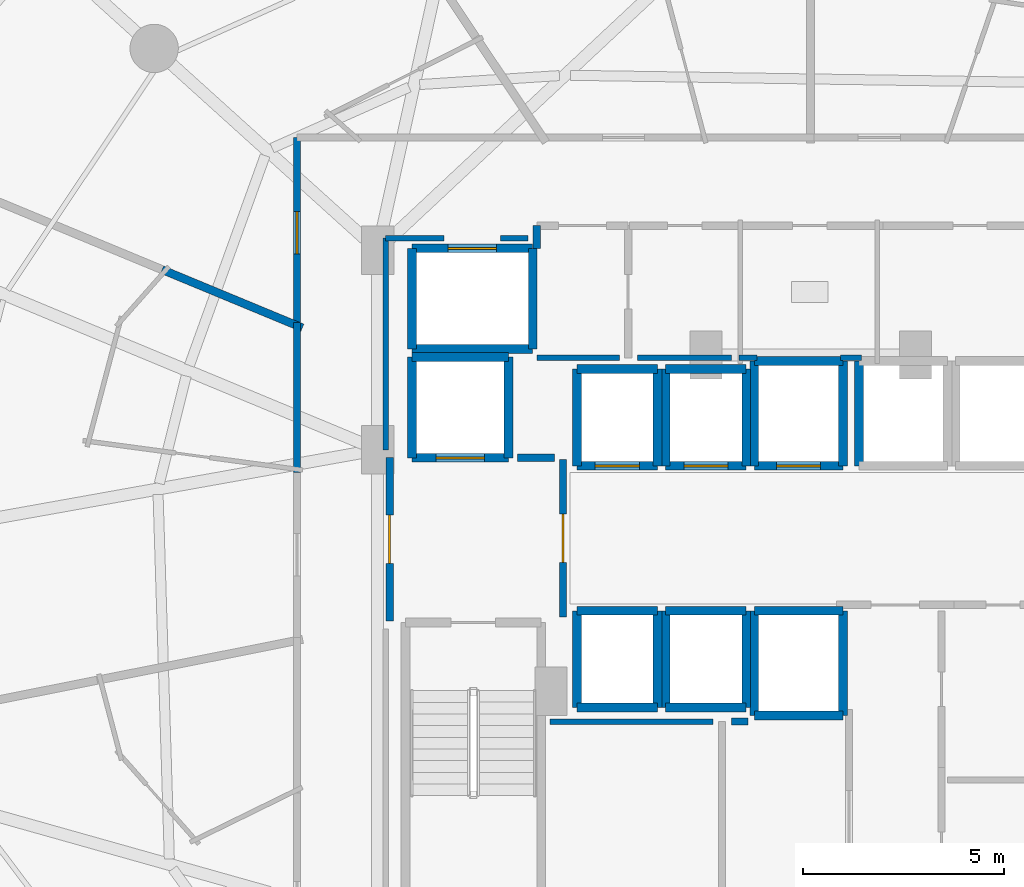
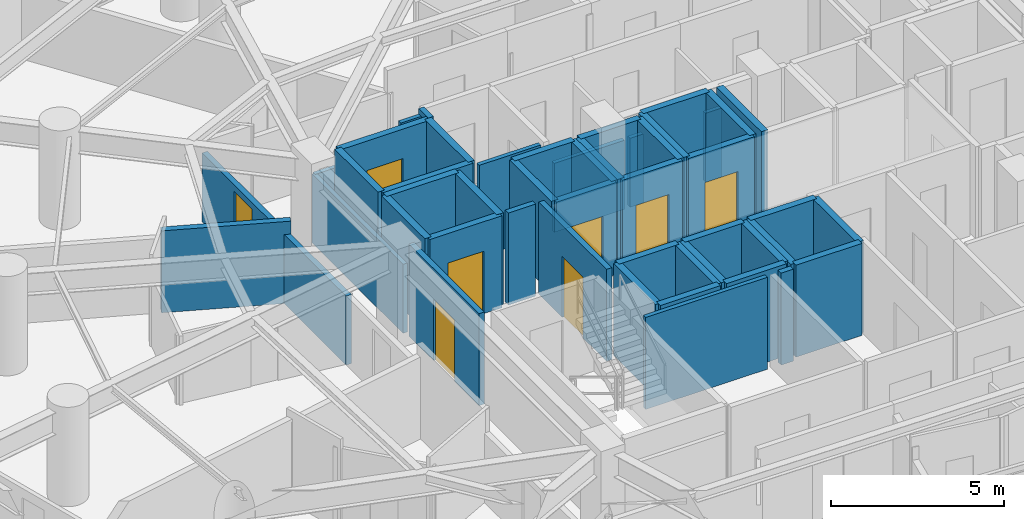
# One storey, part 28 of 35: 49 walls, 8 doors, 8 openings.
"""IFC4 building model written with IfcOpenShell, lengths in metres."""

from ifc_helpers import new_model, si_unit, direction, frame, frame_2d, origin, place, context, subcontext, project, spatial, rectangle, extrude, material, layer, layer_set, type_object, element, fill, save


model = new_model("IFC4")

# Units and contexts
model_context = context("Model", 3, precision=1e-05, world=origin(), true_north=direction((0.0, 1.0)))
body_context = subcontext(model_context, "Body", "Model", "MODEL_VIEW")
ifc_project = project(units=[si_unit("LENGTHUNIT", "METRE"), si_unit("AREAUNIT", "SQUARE_METRE"), si_unit("VOLUMEUNIT", "CUBIC_METRE"), si_unit("PLANEANGLEUNIT", "RADIAN"), si_unit("MASSUNIT", "GRAM", prefix="KILO")], contexts=[model_context])

# Site, building, storey
site_placement = place(None, origin())
site = spatial("IfcSite", under=ifc_project, at=site_placement, CompositionType="ELEMENT")
building_placement = place(site_placement, origin())
building = spatial("IfcBuilding", under=site, at=building_placement, Name="Vorneva Point Tower", CompositionType="ELEMENT")
storey_placement = place(building_placement, frame((0.0, 0.0, 48.5)))
storey = spatial("IfcBuildingStorey", under=building, at=storey_placement, Name="L12", CompositionType="ELEMENT", Elevation=48.5)

# Wall, opening, door
ifc_material_1 = material(Name="Concrete B60 (C50/60)", Category="concrete")
ifc_layer_1 = layer(ifc_material_1, 0.5)
ifc_layer_set_1 = layer_set([ifc_layer_1], Name="Concrete B60 (C50/60)")
wall_type_1 = type_object("IfcWallType", Name="WL-CORE-500", PredefinedType="SHEAR", material=ifc_layer_set_1)
wall_1_placement = place(storey_placement, frame((28.10009765625, 28.0, 0.0), z_axis=(0.0, 0.0, 1.0), x_axis=(1.0, 0.0, 0.0)))
wall_1 = element("IfcWall", 1, at=wall_1_placement, inside=storey, type_object=wall_type_1, Name="L12 Lift FFL1 Shaft Wall -Y", PredefinedType="SHEAR", context=body_context, shape_type="SweptSolid", body=[
    extrude(rectangle(XDim=2.39990234375, YDim=0.219970703125, at=frame_2d((1.199951171875, 0.0))), origin(), (0.0, 0.0, 1.0), 3.239990234375),
])
opening_1_placement = place(wall_1_placement, frame((0.60009765625, 0.0, 0.0)))
opening_1 = element("IfcOpeningElement", 2, at=opening_1_placement, cuts=wall_1, Name="Opening LD-02", PredefinedType="OPENING", context=body_context, shape_type="SweptSolid", body=[
    extrude(rectangle(XDim=1.199951171875, YDim=2.199951171875, at=frame_2d((0.60009765625, 1.10009765625))), frame((0.0, 0.125, 0.0), z_axis=(0.0, -1.0, 0.0), x_axis=(1.0, 0.0, 0.0)), (0.0, 0.0, 1.0), 0.249755859375),
])
ifc_material_2 = material(Name="Brushed stainless steel S304", Category="steel")
door_type_1 = type_object("IfcDoorType", Name="LD-FIRE-1200", OperationType="SLIDING_TO_LEFT", PredefinedType="DOOR", material=ifc_material_2)
door_1_placement = place(opening_1_placement, origin())
door_1 = element("IfcDoor", 3, at=door_1_placement, inside=storey, type_object=door_type_1, Name="L12 Lift FFL1 Sliding Landing Door", OperationType="SLIDING_TO_LEFT", OverallHeight=2.199951171875, OverallWidth=1.199951171875, PredefinedType="DOOR", context=body_context, shape_type="SweptSolid", body=[
    extrude(rectangle(XDim=1.199951171875, YDim=2.199951171875, at=frame_2d((0.60009765625, 1.10009765625))), frame((0.0, 0.02490234375, 0.0), z_axis=(0.0, -1.0, 0.0), x_axis=(1.0, 0.0, 0.0)), (0.0, 0.0, 1.0), 0.050048828125),
])
fill(opening_1, door_1)

# Walls
wall_2_placement = place(storey_placement, frame((30.5, 28.0, 0.0), z_axis=(0.0, 0.0, 1.0), x_axis=(0.0, 1.0, 0.0)))
element("IfcWall", 4, at=wall_2_placement, inside=storey, type_object=wall_type_1, Name="L12 Lift FFL1 Shaft Wall +X", PredefinedType="SHEAR", context=body_context, shape_type="SweptSolid", body=[
    extrude(rectangle(XDim=2.5, YDim=0.219970703125, at=frame_2d((1.25, 0.0))), origin(), (0.0, 0.0, 1.0), 3.239990234375),
])
wall_3_placement = place(storey_placement, frame((30.5, 30.5, 0.0), z_axis=(0.0, 0.0, 1.0), x_axis=(-1.0, 0.0, 0.0)))
element("IfcWall", 5, at=wall_3_placement, inside=storey, type_object=wall_type_1, Name="L12 Lift FFL1 Shaft Wall +Y", PredefinedType="SHEAR", context=body_context, shape_type="SweptSolid", body=[
    extrude(rectangle(XDim=2.39990234375, YDim=0.219970703125, at=frame_2d((1.199951171875, 0.0))), origin(), (0.0, 0.0, 1.0), 3.239990234375),
])
wall_4_placement = place(storey_placement, frame((28.10009765625, 30.5, 0.0), z_axis=(0.0, 0.0, 1.0), x_axis=(0.0, -1.0, 0.0)))
element("IfcWall", 6, at=wall_4_placement, inside=storey, type_object=wall_type_1, Name="L12 Lift FFL1 Shaft Wall -X", PredefinedType="SHEAR", context=body_context, shape_type="SweptSolid", body=[
    extrude(rectangle(XDim=2.5, YDim=0.219970703125, at=frame_2d((1.25, 0.0))), origin(), (0.0, 0.0, 1.0), 3.239990234375),
])
ifc_material_3 = material(Name="Fire-rated acoustic gypsum stud partition", Category="gypsum")
ifc_layer_2 = layer(ifc_material_3, 0.139892578125)
ifc_layer_set_2 = layer_set([ifc_layer_2], Name="Fire-rated acoustic gypsum stud partition")
wall_type_2 = type_object("IfcWallType", Name="WL-PART-140", PredefinedType="PARTITIONING", material=ifc_layer_set_2)
wall_5_placement = place(storey_placement, frame((31.199951171875, 30.47998046875, 0.0), z_axis=(0.0, 0.0, 1.0), x_axis=(1.0, 0.0, 0.0)))
element("IfcWall", 7, at=wall_5_placement, inside=storey, type_object=wall_type_2, Name="L12 Interior Closure Partition 091", PredefinedType="PARTITIONING", context=body_context, shape_type="SweptSolid", body=[
    extrude(rectangle(XDim=2.050048828125, YDim=0.139892578125, at=frame_2d((1.02490234375, 0.0))), origin(), (0.0, 0.0, 1.0), 3.239990234375),
])
wall_6_placement = place(storey_placement, frame((33.699951171875, 30.47998046875, 0.0), z_axis=(0.0, 0.0, 1.0), x_axis=(1.0, 0.0, 0.0)))
element("IfcWall", 8, at=wall_6_placement, inside=storey, type_object=wall_type_2, Name="L12 Interior Closure Partition 092", PredefinedType="PARTITIONING", context=body_context, shape_type="SweptSolid", body=[
    extrude(rectangle(XDim=2.330078125, YDim=0.139892578125, at=frame_2d((1.1650390625, 0.0))), origin(), (0.0, 0.0, 1.0), 2.431884765625),
])
wall_7_placement = place(storey_placement, frame((36.219970703125, 30.47998046875, 0.0), z_axis=(0.0, 0.0, 1.0), x_axis=(1.0, 0.0, 0.0)))
element("IfcWall", 9, at=wall_7_placement, inside=storey, type_object=wall_type_2, Name="L12 Interior Closure Partition 093", PredefinedType="PARTITIONING", context=body_context, shape_type="SweptSolid", body=[
    extrude(rectangle(XDim=0.445068359375, YDim=0.139892578125, at=frame_2d((0.22265625, 0.0))), origin(), (0.0, 0.0, 1.0), 2.431884765625),
])
wall_8_placement = place(storey_placement, frame((38.735107421875, 30.47998046875, 0.0), z_axis=(0.0, 0.0, 1.0), x_axis=(1.0, 0.0, 0.0)))
element("IfcWall", 10, at=wall_8_placement, inside=storey, type_object=wall_type_2, Name="L12 Interior Closure Partition 094", PredefinedType="PARTITIONING", context=body_context, shape_type="SweptSolid", body=[
    extrude(rectangle(XDim=0.52978515625, YDim=0.139892578125, at=frame_2d((0.264892578125, 0.0))), origin(), (0.0, 0.0, 1.0), 2.431884765625),
])
wall_9_placement = place(storey_placement, frame((35.580078125, 21.449951171875, 0.0), z_axis=(0.0, 0.0, 1.0), x_axis=(-1.0, 0.0, 0.0)))
element("IfcWall", 11, at=wall_9_placement, inside=storey, type_object=wall_type_2, Name="L12 Interior Closure Partition 097", PredefinedType="PARTITIONING", context=body_context, shape_type="SweptSolid", body=[
    extrude(rectangle(XDim=4.050048828125, YDim=0.139892578125, at=frame_2d((2.02490234375, 0.0))), origin(), (0.0, 0.0, 1.0), 3.239990234375),
])
wall_10_placement = place(storey_placement, frame((27.449951171875, 28.196044921875, 0.0), z_axis=(0.0, 0.0, 1.0), x_axis=(0.0, 1.0, 0.0)))
element("IfcWall", 12, at=wall_10_placement, inside=storey, type_object=wall_type_2, Name="L12 Interior Closure Partition 105", PredefinedType="PARTITIONING", context=body_context, shape_type="SweptSolid", body=[
    extrude(rectangle(XDim=5.25390625, YDim=0.139892578125, at=frame_2d((2.626953125, 0.0))), origin(), (0.0, 0.0, 1.0), 2.431884765625),
])
wall_11_placement = place(storey_placement, frame((27.449951171875, 33.449951171875, 0.0), z_axis=(0.0, 0.0, 1.0), x_axis=(1.0, 0.0, 0.0)))
element("IfcWall", 13, at=wall_11_placement, inside=storey, type_object=wall_type_2, Name="L12 Interior Closure Partition 106", PredefinedType="PARTITIONING", context=body_context, shape_type="SweptSolid", body=[
    extrude(rectangle(XDim=1.444091796875, YDim=0.139892578125, at=frame_2d((0.72216796875, 0.0))), origin(), (0.0, 0.0, 1.0), 2.431884765625),
])
wall_12_placement = place(storey_placement, frame((30.305908203125, 33.449951171875, 0.0), z_axis=(0.0, 0.0, 1.0), x_axis=(1.0, 0.0, 0.0)))
element("IfcWall", 14, at=wall_12_placement, inside=storey, type_object=wall_type_2, Name="L12 Interior Closure Partition 107", PredefinedType="PARTITIONING", context=body_context, shape_type="SweptSolid", body=[
    extrude(rectangle(XDim=0.674072265625, YDim=0.139892578125, at=frame_2d((0.3369140625, 0.0))), origin(), (0.0, 0.0, 1.0), 3.239990234375),
])

# Wall, opening, door
ifc_material_4 = material(Name="Autoclaved aerated concrete blockwork", Category="masonry")
ifc_layer_3 = layer(ifc_material_4, 0.179931640625)
ifc_layer_set_3 = layer_set([ifc_layer_3], Name="Autoclaved aerated concrete blockwork")
wall_type_3 = type_object("IfcWallType", Name="WL-PART-180", PredefinedType="PARTITIONING", material=ifc_layer_set_3)
wall_13_placement = place(storey_placement, frame((31.85009765625, 24.044921875, 0.0), z_axis=(0.0, 0.0, 1.0), x_axis=(0.0, 1.0, 0.0)))
wall_13 = element("IfcWall", 15, at=wall_13_placement, inside=storey, type_object=wall_type_3, Name="L12 Interior Partition 001", PredefinedType="PARTITIONING", context=body_context, shape_type="SweptSolid", body=[
    extrude(rectangle(XDim=3.91015625, YDim=0.179931640625, at=frame_2d((1.955078125, 0.0))), origin(), (0.0, 0.0, 1.0), 3.239990234375),
])
opening_2_placement = place(wall_13_placement, frame((1.35498046875, 0.0, 0.0)))
opening_2 = element("IfcOpeningElement", 16, at=opening_2_placement, cuts=wall_13, Name="Opening FD-02", PredefinedType="OPENING", context=body_context, shape_type="SweptSolid", body=[
    extrude(rectangle(XDim=1.199951171875, YDim=2.14990234375, at=frame_2d((0.60009765625, 1.074951171875))), frame((0.0, 0.10498046875, 0.0), z_axis=(0.0, -1.0, 0.0), x_axis=(1.0, 0.0, 0.0)), (0.0, 0.0, 1.0), 0.209716796875),
])
ifc_material_5 = material(Name="Fire-rated powder-coated steel", Category="steel")
door_type_2 = type_object("IfcDoorType", Name="DR-FFL-1200", OperationType="NOTDEFINED", PredefinedType="DOOR", material=ifc_material_5)
door_2_placement = place(opening_2_placement, origin())
door_2 = element("IfcDoor", 17, at=door_2_placement, inside=storey, type_object=door_type_2, Name="L12 Door West Firefighting Lobby / Central Lift Lobby", OperationType="SINGLE_SWING_RIGHT", OverallHeight=2.14990234375, OverallWidth=1.199951171875, PredefinedType="DOOR", context=body_context, shape_type="SweptSolid", body=[
    extrude(rectangle(XDim=1.199951171875, YDim=2.14990234375, at=frame_2d((0.60009765625, 1.074951171875))), frame((0.0, 0.02490234375, 0.0), z_axis=(0.0, -1.0, 0.0), x_axis=(1.0, 0.0, 0.0)), (0.0, 0.0, 1.0), 0.050048828125),
])
fill(opening_2, door_2)

wall_14_placement = place(storey_placement, frame((27.550048828125, 28.0, 0.0), z_axis=(0.0, 0.0, 1.0), x_axis=(0.0, -1.0, 0.0)))
wall_14 = element("IfcWall", 18, at=wall_14_placement, inside=storey, type_object=wall_type_3, Name="L12 Interior Partition 002", PredefinedType="PARTITIONING", context=body_context, shape_type="SweptSolid", body=[
    extrude(rectangle(XDim=4.050048828125, YDim=0.179931640625, at=frame_2d((2.02490234375, 0.0))), origin(), (0.0, 0.0, 1.0), 3.239990234375),
])
opening_3_placement = place(wall_14_placement, frame((1.425048828125, 0.0, 0.0)))
opening_3 = element("IfcOpeningElement", 19, at=opening_3_placement, cuts=wall_14, Name="Opening FD-02", PredefinedType="OPENING", context=body_context, shape_type="SweptSolid", body=[
    extrude(rectangle(XDim=1.199951171875, YDim=2.14990234375, at=frame_2d((0.60009765625, 1.074951171875))), frame((0.0, 0.10498046875, 0.0), z_axis=(0.0, -1.0, 0.0), x_axis=(1.0, 0.0, 0.0)), (0.0, 0.0, 1.0), 0.209716796875),
])
door_3_placement = place(opening_3_placement, origin())
door_3 = element("IfcDoor", 20, at=door_3_placement, inside=storey, type_object=door_type_2, Name="L12 Door West Firefighting Lobby / L12 Circulation Corridor", OperationType="SINGLE_SWING_RIGHT", OverallHeight=2.14990234375, OverallWidth=1.199951171875, PredefinedType="DOOR", context=body_context, shape_type="SweptSolid", body=[
    extrude(rectangle(XDim=1.199951171875, YDim=2.14990234375, at=frame_2d((0.60009765625, 1.074951171875))), frame((0.0, 0.02490234375, 0.0), z_axis=(0.0, -1.0, 0.0), x_axis=(1.0, 0.0, 0.0)), (0.0, 0.0, 1.0), 0.050048828125),
])
fill(opening_3, door_3)

# Wall
wall_15_placement = place(storey_placement, frame((31.199951171875, 33.760009765625, 0.0), z_axis=(0.0, 0.0, 1.0), x_axis=(0.0, -1.0, 0.0)))
element("IfcWall", 21, at=wall_15_placement, inside=storey, type_object=wall_type_3, Name="L12 Interior Partition 008", PredefinedType="PARTITIONING", context=body_context, shape_type="SweptSolid", body=[
    extrude(rectangle(XDim=0.56005859375, YDim=0.179931640625, at=frame_2d((0.280029296875, 0.0))), origin(), (0.0, 0.0, 1.0), 3.239990234375),
])

# Wall, opening, door
wall_16_placement = place(storey_placement, frame((25.25, 35.949951171875, 0.0), z_axis=(0.0, 0.0, 1.0), x_axis=(0.0, -1.0, 0.0)))
wall_16 = element("IfcWall", 22, at=wall_16_placement, inside=storey, type_object=wall_type_3, Name="L12 Interior Partition 033", PredefinedType="PARTITIONING", context=body_context, shape_type="SweptSolid", body=[
    extrude(rectangle(XDim=4.72900390625, YDim=0.179931640625, at=frame_2d((2.364501953125, 0.0))), origin(), (0.0, 0.0, 1.0), 2.431884765625),
])
opening_4_placement = place(wall_16_placement, frame((1.839599609375, 0.0, 0.0)))
opening_4 = element("IfcOpeningElement", 23, at=opening_4_placement, cuts=wall_16, Name="Opening UD-02", PredefinedType="OPENING", context=body_context, shape_type="SweptSolid", body=[
    extrude(rectangle(XDim=1.050048828125, YDim=2.199951171875, at=frame_2d((0.52490234375, 1.10009765625))), frame((0.0, 0.10498046875, 0.0), z_axis=(0.0, -1.0, 0.0), x_axis=(1.0, 0.0, 0.0)), (0.0, 0.0, 1.0), 0.209716796875),
])
ifc_material_6 = material(Name="Engineered oak fire-rated door leaf", Category="wood")
door_type_3 = type_object("IfcDoorType", Name="DR-SUITE-1050", OperationType="NOTDEFINED", PredefinedType="DOOR", material=ifc_material_6)
door_4_placement = place(opening_4_placement, origin())
door_4 = element("IfcDoor", 24, at=door_4_placement, inside=storey, type_object=door_type_3, Name="L12 Door L12 Circulation Corridor / Corner Suite L12-04", OperationType="SINGLE_SWING_LEFT", OverallHeight=2.199951171875, OverallWidth=1.050048828125, PredefinedType="DOOR", context=body_context, shape_type="SweptSolid", body=[
    extrude(rectangle(XDim=1.050048828125, YDim=2.199951171875, at=frame_2d((0.52490234375, 1.10009765625))), frame((0.0, 0.02490234375, 0.0), z_axis=(0.0, -1.0, 0.0), x_axis=(1.0, 0.0, 0.0)), (0.0, 0.0, 1.0), 0.050048828125),
])
fill(opening_4, door_4)

# Walls
wall_17_placement = place(storey_placement, frame((25.25, 31.361083984375, 0.0), z_axis=(0.0, 0.0, 1.0), x_axis=(0.0, -1.0, 0.0)))
element("IfcWall", 25, at=wall_17_placement, inside=storey, type_object=wall_type_3, Name="L12 Interior Partition 036", PredefinedType="PARTITIONING", context=body_context, shape_type="SweptSolid", body=[
    extrude(rectangle(XDim=3.72705078125, YDim=0.179931640625, at=frame_2d((1.863525390625, 0.0))), origin(), (0.0, 0.0, 1.0), 2.431884765625),
])
wall_18_placement = place(storey_placement, frame((31.635009765625, 28.0, 0.0), z_axis=(0.0, 0.0, 1.0), x_axis=(-1.0, 0.0, 0.0)))
element("IfcWall", 26, at=wall_18_placement, inside=storey, type_object=wall_type_3, Name="L12 Interior Closure Partition 089", PredefinedType="PARTITIONING", context=body_context, shape_type="SweptSolid", body=[
    extrude(rectangle(XDim=0.9150390625, YDim=0.179931640625, at=frame_2d((0.45751953125, 0.0))), origin(), (0.0, 0.0, 1.0), 3.239990234375),
])
wall_19_placement = place(storey_placement, frame((36.43896484375, 21.449951171875, 0.0), z_axis=(0.0, 0.0, 1.0), x_axis=(-1.0, 0.0, 0.0)))
element("IfcWall", 27, at=wall_19_placement, inside=storey, type_object=wall_type_3, Name="L12 Interior Closure Partition 098", PredefinedType="PARTITIONING", context=body_context, shape_type="SweptSolid", body=[
    extrude(rectangle(XDim=0.408935546875, YDim=0.179931640625, at=frame_2d((0.20458984375, 0.0))), origin(), (0.0, 0.0, 1.0), 3.239990234375),
])
ifc_layer_4 = layer(ifc_material_4, 0.199951171875)
ifc_layer_set_4 = layer_set([ifc_layer_4], Name="Autoclaved aerated concrete blockwork")
wall_type_4 = type_object("IfcWallType", Name="WL-PART-200", PredefinedType="PARTITIONING", material=ifc_layer_set_4)
wall_20_placement = place(storey_placement, frame((21.898681640625, 32.66943359375, 0.0), z_axis=(0.0, 0.0, 1.0), x_axis=(0.923843852071, -0.382769561211, 0.0)))
element("IfcWall", 28, at=wall_20_placement, inside=storey, type_object=wall_type_4, Name="L12 Interior Partition 066", PredefinedType="PARTITIONING", context=body_context, shape_type="SweptSolid", body=[
    extrude(rectangle(XDim=3.767578125, YDim=0.199951171875, at=frame_2d((1.8837890625, 0.0))), origin(), (0.0, 0.0, 1.0), 2.885986328125),
])

# Wall, opening, door
ifc_material_7 = material(Name="Concrete B50 (C40/50)", Category="concrete")
ifc_layer_5 = layer(ifc_material_7, 0.219970703125)
ifc_layer_set_5 = layer_set([ifc_layer_5], Name="Concrete B50 (C40/50)")
wall_type_5 = type_object("IfcWallType", Name="WL-SHFT-220", PredefinedType="SOLIDWALL", material=ifc_layer_set_5)
wall_21_placement = place(storey_placement, frame((32.199951171875, 27.800048828125, 0.0), z_axis=(0.0, 0.0, 1.0), x_axis=(1.0, 0.0, 0.0)))
wall_21 = element("IfcWall", 29, at=wall_21_placement, inside=storey, type_object=wall_type_5, Name="L12 Lift PL1 Shaft Wall -Y", PredefinedType="SOLIDWALL", context=body_context, shape_type="SweptSolid", body=[
    extrude(rectangle(XDim=2.0, YDim=0.219970703125, at=frame_2d((1.0, 0.0))), origin(), (0.0, 0.0, 1.0), 3.239990234375),
])
opening_5_placement = place(wall_21_placement, frame((0.449951171875, 0.0, 0.0)))
opening_5 = element("IfcOpeningElement", 30, at=opening_5_placement, cuts=wall_21, Name="Opening LD-01", PredefinedType="OPENING", context=body_context, shape_type="SweptSolid", body=[
    extrude(rectangle(XDim=1.10009765625, YDim=2.199951171875, at=frame_2d((0.550048828125, 1.10009765625))), frame((0.0, 0.125, 0.0), z_axis=(0.0, -1.0, 0.0), x_axis=(1.0, 0.0, 0.0)), (0.0, 0.0, 1.0), 0.249755859375),
])
door_type_4 = type_object("IfcDoorType", Name="LD-PASS-1100", OperationType="SLIDING_TO_LEFT", PredefinedType="DOOR", material=ifc_material_2)
door_5_placement = place(opening_5_placement, origin())
door_5 = element("IfcDoor", 31, at=door_5_placement, inside=storey, type_object=door_type_4, Name="L12 Lift PL1 Sliding Landing Door", OperationType="SLIDING_TO_LEFT", OverallHeight=2.199951171875, OverallWidth=1.10009765625, PredefinedType="DOOR", context=body_context, shape_type="SweptSolid", body=[
    extrude(rectangle(XDim=1.10009765625, YDim=2.199951171875, at=frame_2d((0.550048828125, 1.10009765625))), frame((0.0, 0.02490234375, 0.0), z_axis=(0.0, -1.0, 0.0), x_axis=(1.0, 0.0, 0.0)), (0.0, 0.0, 1.0), 0.050048828125),
])
fill(opening_5, door_5)

# Walls
wall_22_placement = place(storey_placement, frame((34.199951171875, 27.800048828125, 0.0), z_axis=(0.0, 0.0, 1.0), x_axis=(0.0, 1.0, 0.0)))
element("IfcWall", 32, at=wall_22_placement, inside=storey, type_object=wall_type_5, Name="L12 Lift PL1 Shaft Wall +X", PredefinedType="SOLIDWALL", context=body_context, shape_type="SweptSolid", body=[
    extrude(rectangle(XDim=2.39990234375, YDim=0.219970703125, at=frame_2d((1.199951171875, 0.0))), origin(), (0.0, 0.0, 1.0), 3.239990234375),
])
wall_23_placement = place(storey_placement, frame((34.199951171875, 30.199951171875, 0.0), z_axis=(0.0, 0.0, 1.0), x_axis=(-1.0, 0.0, 0.0)))
element("IfcWall", 33, at=wall_23_placement, inside=storey, type_object=wall_type_5, Name="L12 Lift PL1 Shaft Wall +Y", PredefinedType="SOLIDWALL", context=body_context, shape_type="SweptSolid", body=[
    extrude(rectangle(XDim=2.0, YDim=0.219970703125, at=frame_2d((1.0, 0.0))), origin(), (0.0, 0.0, 1.0), 3.239990234375),
])
wall_24_placement = place(storey_placement, frame((32.199951171875, 30.199951171875, 0.0), z_axis=(0.0, 0.0, 1.0), x_axis=(0.0, -1.0, 0.0)))
element("IfcWall", 34, at=wall_24_placement, inside=storey, type_object=wall_type_5, Name="L12 Lift PL1 Shaft Wall -X", PredefinedType="SOLIDWALL", context=body_context, shape_type="SweptSolid", body=[
    extrude(rectangle(XDim=2.39990234375, YDim=0.219970703125, at=frame_2d((1.199951171875, 0.0))), origin(), (0.0, 0.0, 1.0), 3.239990234375),
])

# Wall, opening, door
wall_25_placement = place(storey_placement, frame((34.39990234375, 27.800048828125, 0.0), z_axis=(0.0, 0.0, 1.0), x_axis=(1.0, 0.0, 0.0)))
wall_25 = element("IfcWall", 35, at=wall_25_placement, inside=storey, type_object=wall_type_5, Name="L12 Lift PL2 Shaft Wall -Y", PredefinedType="SOLIDWALL", context=body_context, shape_type="SweptSolid", body=[
    extrude(rectangle(XDim=2.0, YDim=0.219970703125, at=frame_2d((1.0, 0.0))), origin(), (0.0, 0.0, 1.0), 3.239990234375),
])
opening_6_placement = place(wall_25_placement, frame((0.449951171875, 0.0, 0.0)))
opening_6 = element("IfcOpeningElement", 36, at=opening_6_placement, cuts=wall_25, Name="Opening LD-01", PredefinedType="OPENING", context=body_context, shape_type="SweptSolid", body=[
    extrude(rectangle(XDim=1.10009765625, YDim=2.199951171875, at=frame_2d((0.550048828125, 1.10009765625))), frame((0.0, 0.125, 0.0), z_axis=(0.0, -1.0, 0.0), x_axis=(1.0, 0.0, 0.0)), (0.0, 0.0, 1.0), 0.249755859375),
])
door_6_placement = place(opening_6_placement, origin())
door_6 = element("IfcDoor", 37, at=door_6_placement, inside=storey, type_object=door_type_4, Name="L12 Lift PL2 Sliding Landing Door", OperationType="SLIDING_TO_LEFT", OverallHeight=2.199951171875, OverallWidth=1.10009765625, PredefinedType="DOOR", context=body_context, shape_type="SweptSolid", body=[
    extrude(rectangle(XDim=1.10009765625, YDim=2.199951171875, at=frame_2d((0.550048828125, 1.10009765625))), frame((0.0, 0.02490234375, 0.0), z_axis=(0.0, -1.0, 0.0), x_axis=(1.0, 0.0, 0.0)), (0.0, 0.0, 1.0), 0.050048828125),
])
fill(opening_6, door_6)

# Walls
wall_26_placement = place(storey_placement, frame((36.39990234375, 27.800048828125, 0.0), z_axis=(0.0, 0.0, 1.0), x_axis=(0.0, 1.0, 0.0)))
element("IfcWall", 38, at=wall_26_placement, inside=storey, type_object=wall_type_5, Name="L12 Lift PL2 Shaft Wall +X", PredefinedType="SOLIDWALL", context=body_context, shape_type="SweptSolid", body=[
    extrude(rectangle(XDim=2.39990234375, YDim=0.219970703125, at=frame_2d((1.199951171875, 0.0))), origin(), (0.0, 0.0, 1.0), 3.239990234375),
])
wall_27_placement = place(storey_placement, frame((36.39990234375, 30.199951171875, 0.0), z_axis=(0.0, 0.0, 1.0), x_axis=(-1.0, 0.0, 0.0)))
element("IfcWall", 39, at=wall_27_placement, inside=storey, type_object=wall_type_5, Name="L12 Lift PL2 Shaft Wall +Y", PredefinedType="SOLIDWALL", context=body_context, shape_type="SweptSolid", body=[
    extrude(rectangle(XDim=2.0, YDim=0.219970703125, at=frame_2d((1.0, 0.0))), origin(), (0.0, 0.0, 1.0), 3.239990234375),
])
wall_28_placement = place(storey_placement, frame((34.39990234375, 30.199951171875, 0.0), z_axis=(0.0, 0.0, 1.0), x_axis=(0.0, -1.0, 0.0)))
element("IfcWall", 40, at=wall_28_placement, inside=storey, type_object=wall_type_5, Name="L12 Lift PL2 Shaft Wall -X", PredefinedType="SOLIDWALL", context=body_context, shape_type="SweptSolid", body=[
    extrude(rectangle(XDim=2.39990234375, YDim=0.219970703125, at=frame_2d((1.199951171875, 0.0))), origin(), (0.0, 0.0, 1.0), 3.239990234375),
])

# Wall, opening, door
wall_29_placement = place(storey_placement, frame((36.60009765625, 27.800048828125, 0.0), z_axis=(0.0, 0.0, 1.0), x_axis=(1.0, 0.0, 0.0)))
wall_29 = element("IfcWall", 41, at=wall_29_placement, inside=storey, type_object=wall_type_5, Name="L12 Lift PL3 Shaft Wall -Y", PredefinedType="SOLIDWALL", context=body_context, shape_type="SweptSolid", body=[
    extrude(rectangle(XDim=2.199951171875, YDim=0.219970703125, at=frame_2d((1.10009765625, 0.0))), origin(), (0.0, 0.0, 1.0), 3.239990234375),
])
opening_7_placement = place(wall_29_placement, frame((0.550048828125, 0.0, 0.0)))
opening_7 = element("IfcOpeningElement", 42, at=opening_7_placement, cuts=wall_29, Name="Opening LD-01", PredefinedType="OPENING", context=body_context, shape_type="SweptSolid", body=[
    extrude(rectangle(XDim=1.10009765625, YDim=2.199951171875, at=frame_2d((0.550048828125, 1.10009765625))), frame((0.0, 0.125, 0.0), z_axis=(0.0, -1.0, 0.0), x_axis=(1.0, 0.0, 0.0)), (0.0, 0.0, 1.0), 0.249755859375),
])
door_7_placement = place(opening_7_placement, origin())
door_7 = element("IfcDoor", 43, at=door_7_placement, inside=storey, type_object=door_type_4, Name="L12 Lift PL3 Sliding Landing Door", OperationType="SLIDING_TO_LEFT", OverallHeight=2.199951171875, OverallWidth=1.10009765625, PredefinedType="DOOR", context=body_context, shape_type="SweptSolid", body=[
    extrude(rectangle(XDim=1.10009765625, YDim=2.199951171875, at=frame_2d((0.550048828125, 1.10009765625))), frame((0.0, 0.02490234375, 0.0), z_axis=(0.0, -1.0, 0.0), x_axis=(1.0, 0.0, 0.0)), (0.0, 0.0, 1.0), 0.050048828125),
])
fill(opening_7, door_7)

# Walls
wall_30_placement = place(storey_placement, frame((38.800048828125, 27.800048828125, 0.0), z_axis=(0.0, 0.0, 1.0), x_axis=(0.0, 1.0, 0.0)))
element("IfcWall", 44, at=wall_30_placement, inside=storey, type_object=wall_type_5, Name="L12 Lift PL3 Shaft Wall +X", PredefinedType="SOLIDWALL", context=body_context, shape_type="SweptSolid", body=[
    extrude(rectangle(XDim=2.599853515625, YDim=0.219970703125, at=frame_2d((1.2998046875, 0.0))), origin(), (0.0, 0.0, 1.0), 3.239990234375),
])
wall_31_placement = place(storey_placement, frame((38.800048828125, 30.39990234375, 0.0), z_axis=(0.0, 0.0, 1.0), x_axis=(-1.0, 0.0, 0.0)))
element("IfcWall", 45, at=wall_31_placement, inside=storey, type_object=wall_type_5, Name="L12 Lift PL3 Shaft Wall +Y", PredefinedType="SOLIDWALL", context=body_context, shape_type="SweptSolid", body=[
    extrude(rectangle(XDim=2.199951171875, YDim=0.219970703125, at=frame_2d((1.10009765625, 0.0))), origin(), (0.0, 0.0, 1.0), 3.239990234375),
])
wall_32_placement = place(storey_placement, frame((36.60009765625, 30.39990234375, 0.0), z_axis=(0.0, 0.0, 1.0), x_axis=(0.0, -1.0, 0.0)))
element("IfcWall", 46, at=wall_32_placement, inside=storey, type_object=wall_type_5, Name="L12 Lift PL3 Shaft Wall -X", PredefinedType="SOLIDWALL", context=body_context, shape_type="SweptSolid", body=[
    extrude(rectangle(XDim=2.599853515625, YDim=0.219970703125, at=frame_2d((1.2998046875, 0.0))), origin(), (0.0, 0.0, 1.0), 3.239990234375),
])
wall_33_placement = place(storey_placement, frame((32.199951171875, 21.800048828125, 0.0), z_axis=(0.0, 0.0, 1.0), x_axis=(1.0, 0.0, 0.0)))
element("IfcWall", 47, at=wall_33_placement, inside=storey, type_object=wall_type_5, Name="L12 Lift PL4 Shaft Wall -Y", PredefinedType="SOLIDWALL", context=body_context, shape_type="SweptSolid", body=[
    extrude(rectangle(XDim=2.0, YDim=0.219970703125, at=frame_2d((1.0, 0.0))), origin(), (0.0, 0.0, 1.0), 3.239990234375),
])
wall_34_placement = place(storey_placement, frame((34.199951171875, 21.800048828125, 0.0), z_axis=(0.0, 0.0, 1.0), x_axis=(0.0, 1.0, 0.0)))
element("IfcWall", 48, at=wall_34_placement, inside=storey, type_object=wall_type_5, Name="L12 Lift PL4 Shaft Wall +X", PredefinedType="SOLIDWALL", context=body_context, shape_type="SweptSolid", body=[
    extrude(rectangle(XDim=2.39990234375, YDim=0.219970703125, at=frame_2d((1.199951171875, 0.0))), origin(), (0.0, 0.0, 1.0), 3.239990234375),
])
wall_35_placement = place(storey_placement, frame((34.199951171875, 24.199951171875, 0.0), z_axis=(0.0, 0.0, 1.0), x_axis=(-1.0, 0.0, 0.0)))
element("IfcWall", 49, at=wall_35_placement, inside=storey, type_object=wall_type_5, Name="L12 Lift PL4 Shaft Wall +Y", PredefinedType="SOLIDWALL", context=body_context, shape_type="SweptSolid", body=[
    extrude(rectangle(XDim=2.0, YDim=0.219970703125, at=frame_2d((1.0, 0.0))), origin(), (0.0, 0.0, 1.0), 3.239990234375),
])
wall_36_placement = place(storey_placement, frame((32.199951171875, 24.199951171875, 0.0), z_axis=(0.0, 0.0, 1.0), x_axis=(0.0, -1.0, 0.0)))
element("IfcWall", 50, at=wall_36_placement, inside=storey, type_object=wall_type_5, Name="L12 Lift PL4 Shaft Wall -X", PredefinedType="SOLIDWALL", context=body_context, shape_type="SweptSolid", body=[
    extrude(rectangle(XDim=2.39990234375, YDim=0.219970703125, at=frame_2d((1.199951171875, 0.0))), origin(), (0.0, 0.0, 1.0), 3.239990234375),
])
wall_37_placement = place(storey_placement, frame((34.39990234375, 21.800048828125, 0.0), z_axis=(0.0, 0.0, 1.0), x_axis=(1.0, 0.0, 0.0)))
element("IfcWall", 51, at=wall_37_placement, inside=storey, type_object=wall_type_5, Name="L12 Lift PL5 Shaft Wall -Y", PredefinedType="SOLIDWALL", context=body_context, shape_type="SweptSolid", body=[
    extrude(rectangle(XDim=2.0, YDim=0.219970703125, at=frame_2d((1.0, 0.0))), origin(), (0.0, 0.0, 1.0), 3.239990234375),
])
wall_38_placement = place(storey_placement, frame((36.39990234375, 21.800048828125, 0.0), z_axis=(0.0, 0.0, 1.0), x_axis=(0.0, 1.0, 0.0)))
element("IfcWall", 52, at=wall_38_placement, inside=storey, type_object=wall_type_5, Name="L12 Lift PL5 Shaft Wall +X", PredefinedType="SOLIDWALL", context=body_context, shape_type="SweptSolid", body=[
    extrude(rectangle(XDim=2.39990234375, YDim=0.219970703125, at=frame_2d((1.199951171875, 0.0))), origin(), (0.0, 0.0, 1.0), 3.239990234375),
])
wall_39_placement = place(storey_placement, frame((36.39990234375, 24.199951171875, 0.0), z_axis=(0.0, 0.0, 1.0), x_axis=(-1.0, 0.0, 0.0)))
element("IfcWall", 53, at=wall_39_placement, inside=storey, type_object=wall_type_5, Name="L12 Lift PL5 Shaft Wall +Y", PredefinedType="SOLIDWALL", context=body_context, shape_type="SweptSolid", body=[
    extrude(rectangle(XDim=2.0, YDim=0.219970703125, at=frame_2d((1.0, 0.0))), origin(), (0.0, 0.0, 1.0), 3.239990234375),
])
wall_40_placement = place(storey_placement, frame((34.39990234375, 24.199951171875, 0.0), z_axis=(0.0, 0.0, 1.0), x_axis=(0.0, -1.0, 0.0)))
element("IfcWall", 54, at=wall_40_placement, inside=storey, type_object=wall_type_5, Name="L12 Lift PL5 Shaft Wall -X", PredefinedType="SOLIDWALL", context=body_context, shape_type="SweptSolid", body=[
    extrude(rectangle(XDim=2.39990234375, YDim=0.219970703125, at=frame_2d((1.199951171875, 0.0))), origin(), (0.0, 0.0, 1.0), 3.239990234375),
])
wall_41_placement = place(storey_placement, frame((36.60009765625, 21.60009765625, 0.0), z_axis=(0.0, 0.0, 1.0), x_axis=(1.0, 0.0, 0.0)))
element("IfcWall", 55, at=wall_41_placement, inside=storey, type_object=wall_type_5, Name="L12 Lift PL6 Shaft Wall -Y", PredefinedType="SOLIDWALL", context=body_context, shape_type="SweptSolid", body=[
    extrude(rectangle(XDim=2.199951171875, YDim=0.219970703125, at=frame_2d((1.10009765625, 0.0))), origin(), (0.0, 0.0, 1.0), 3.239990234375),
])
wall_42_placement = place(storey_placement, frame((38.800048828125, 21.60009765625, 0.0), z_axis=(0.0, 0.0, 1.0), x_axis=(0.0, 1.0, 0.0)))
element("IfcWall", 56, at=wall_42_placement, inside=storey, type_object=wall_type_5, Name="L12 Lift PL6 Shaft Wall +X", PredefinedType="SOLIDWALL", context=body_context, shape_type="SweptSolid", body=[
    extrude(rectangle(XDim=2.599853515625, YDim=0.219970703125, at=frame_2d((1.2998046875, 0.0))), origin(), (0.0, 0.0, 1.0), 3.239990234375),
])
wall_43_placement = place(storey_placement, frame((38.800048828125, 24.199951171875, 0.0), z_axis=(0.0, 0.0, 1.0), x_axis=(-1.0, 0.0, 0.0)))
element("IfcWall", 57, at=wall_43_placement, inside=storey, type_object=wall_type_5, Name="L12 Lift PL6 Shaft Wall +Y", PredefinedType="SOLIDWALL", context=body_context, shape_type="SweptSolid", body=[
    extrude(rectangle(XDim=2.199951171875, YDim=0.219970703125, at=frame_2d((1.10009765625, 0.0))), origin(), (0.0, 0.0, 1.0), 3.239990234375),
])
for number, where, z_axis, x_axis, name in (
    (58, (36.60009765625, 24.199951171875, 0.0), (0.0, 0.0, 1.0), (0.0, -1.0, 0.0), "L12 Lift PL6 Shaft Wall -X"),
    (59, (39.199951171875, 30.39990234375, 0.0), (0.0, 0.0, 1.0), (0.0, -1.0, 0.0), "L12 Lift PL7 Shaft Wall -X"),
):
    element("IfcWall", number, at=place(storey_placement, frame(where, z_axis=z_axis, x_axis=x_axis)), inside=storey, type_object=wall_type_5, Name=name, PredefinedType="SOLIDWALL", context=body_context, shape_type="SweptSolid", body=[
        extrude(rectangle(XDim=2.599853515625, YDim=0.219970703125, at=frame_2d((1.2998046875, 0.0))), origin(), (0.0, 0.0, 1.0), 3.239990234375),
    ])
wall_44_placement = place(storey_placement, frame((28.10009765625, 30.699951171875, 0.0), z_axis=(0.0, 0.0, 1.0), x_axis=(1.0, 0.0, 0.0)))
element("IfcWall", 60, at=wall_44_placement, inside=storey, type_object=wall_type_5, Name="L12 Lift SVL1 Shaft Wall -Y", PredefinedType="SOLIDWALL", context=body_context, shape_type="SweptSolid", body=[
    extrude(rectangle(XDim=3.0, YDim=0.219970703125, at=frame_2d((1.5, 0.0))), origin(), (0.0, 0.0, 1.0), 3.239990234375),
])
wall_45_placement = place(storey_placement, frame((31.10009765625, 30.699951171875, 0.0), z_axis=(0.0, 0.0, 1.0), x_axis=(0.0, 1.0, 0.0)))
element("IfcWall", 61, at=wall_45_placement, inside=storey, type_object=wall_type_5, Name="L12 Lift SVL1 Shaft Wall +X", PredefinedType="SOLIDWALL", context=body_context, shape_type="SweptSolid", body=[
    extrude(rectangle(XDim=2.5, YDim=0.219970703125, at=frame_2d((1.25, 0.0))), origin(), (0.0, 0.0, 1.0), 3.239990234375),
])

# Wall, opening, door
wall_46_placement = place(storey_placement, frame((31.10009765625, 33.199951171875, 0.0), z_axis=(0.0, 0.0, 1.0), x_axis=(-1.0, 0.0, 0.0)))
wall_46 = element("IfcWall", 62, at=wall_46_placement, inside=storey, type_object=wall_type_5, Name="L12 Lift SVL1 Shaft Wall +Y", PredefinedType="SOLIDWALL", context=body_context, shape_type="SweptSolid", body=[
    extrude(rectangle(XDim=3.0, YDim=0.219970703125, at=frame_2d((1.5, 0.0))), origin(), (0.0, 0.0, 1.0), 3.239990234375),
])
opening_8_placement = place(wall_46_placement, frame((0.89990234375, 0.0, 0.0)))
opening_8 = element("IfcOpeningElement", 63, at=opening_8_placement, cuts=wall_46, Name="Opening LD-02", PredefinedType="OPENING", context=body_context, shape_type="SweptSolid", body=[
    extrude(rectangle(XDim=1.199951171875, YDim=2.199951171875, at=frame_2d((0.60009765625, 1.10009765625))), frame((0.0, 0.125, 0.0), z_axis=(0.0, -1.0, 0.0), x_axis=(1.0, 0.0, 0.0)), (0.0, 0.0, 1.0), 0.249755859375),
])
door_8_placement = place(opening_8_placement, origin())
door_8 = element("IfcDoor", 64, at=door_8_placement, inside=storey, type_object=door_type_1, Name="L12 Lift SVL1 Sliding Landing Door", OperationType="SLIDING_TO_LEFT", OverallHeight=2.199951171875, OverallWidth=1.199951171875, PredefinedType="DOOR", context=body_context, shape_type="SweptSolid", body=[
    extrude(rectangle(XDim=1.199951171875, YDim=2.199951171875, at=frame_2d((0.60009765625, 1.10009765625))), frame((0.0, 0.02490234375, 0.0), z_axis=(0.0, -1.0, 0.0), x_axis=(1.0, 0.0, 0.0)), (0.0, 0.0, 1.0), 0.050048828125),
])
fill(opening_8, door_8)

# Wall
wall_47_placement = place(storey_placement, frame((28.10009765625, 33.199951171875, 0.0), z_axis=(0.0, 0.0, 1.0), x_axis=(0.0, -1.0, 0.0)))
element("IfcWall", 65, at=wall_47_placement, inside=storey, type_object=wall_type_5, Name="L12 Lift SVL1 Shaft Wall -X", PredefinedType="SOLIDWALL", context=body_context, shape_type="SweptSolid", body=[
    extrude(rectangle(XDim=2.5, YDim=0.219970703125, at=frame_2d((1.25, 0.0))), origin(), (0.0, 0.0, 1.0), 3.239990234375),
])

save(model, "model.ifc")
